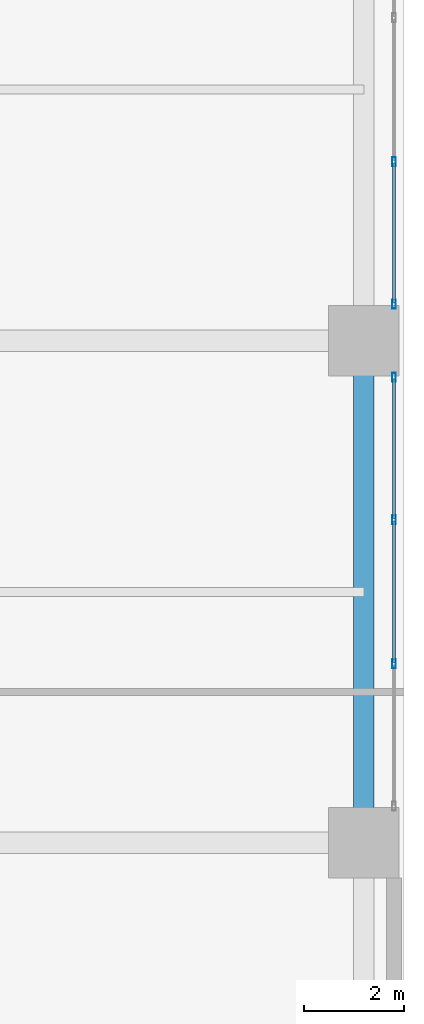
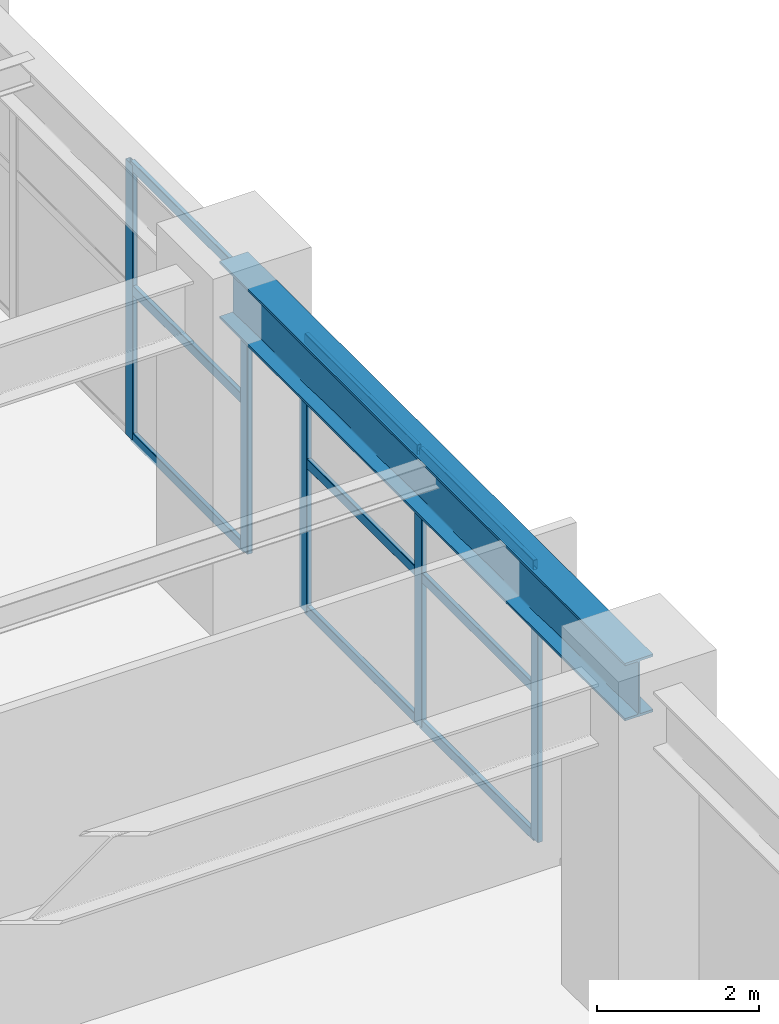
# One storey, part 15 of 28: 14 members, 1 beam, 2 elements without a shape of their own.
"""IFC4 building model written with IfcOpenShell, lengths in metres."""

from ifc_helpers import new_model, si_unit, direction, frame, origin, origin_2d, place, context, subcontext, project, spatial, hollow_rectangle, i_section, extrude, material, layer, layer_set, material_profile, profile_set, type_object, element, aggregate, save


model = new_model("IFC4")

# Units and contexts
model_context = context("Model", 3, precision=1e-05, world=origin(), true_north=direction((0.0, 1.0)))
body_context = subcontext(model_context, "Body", "Model", "MODEL_VIEW")
ifc_project = project(units=[si_unit("LENGTHUNIT", "METRE"), si_unit("AREAUNIT", "SQUARE_METRE"), si_unit("VOLUMEUNIT", "CUBIC_METRE"), si_unit("PLANEANGLEUNIT", "RADIAN"), si_unit("MASSUNIT", "GRAM", prefix="KILO")], contexts=[model_context])

# Site, building, storey
site_placement = place(None, origin())
site = spatial("IfcSite", under=ifc_project, at=site_placement, CompositionType="ELEMENT")
building_placement = place(site_placement, origin())
building = spatial("IfcBuilding", under=site, at=building_placement, Name="Soratama Intermodal Tower", CompositionType="ELEMENT")
storey_placement = place(building_placement, frame((0.0, 0.0, 6.0)))
storey = spatial("IfcBuildingStorey", under=building, at=storey_placement, Name="L01", CompositionType="ELEMENT", Elevation=6.0)

# Beam
ifc_material_1 = material(Name="Structural steel ASTM A992 Grade 50", Category="steel")
ifc_material_profile_1 = material_profile(ifc_material_1, i_section(OverallWidth=0.403076171875, OverallDepth=0.867919921875, WebThickness=0.02099609375, FlangeThickness=0.03564453125, FilletRadius=0.01806640625, at=origin_2d()), Name="W33X241")
ifc_profile_set_1 = profile_set([ifc_material_profile_1], Name="Structural steel ASTM A992 Grade 50")
beam_type = type_object("IfcBeamType", Name="BM-POD-EXT-W33", PredefinedType="BEAM", material=ifc_profile_set_1)
beam_placement = place(storey_placement, frame((83.199951171875, 15.0, 4.64599609375), z_axis=(0.0, 1.0, 0.0), x_axis=(-1.0, 0.0, 0.0)))
element("IfcBeam", 1, at=beam_placement, inside=storey, type_object=beam_type, Name="L01 Station Girder Y4-2", PredefinedType="BEAM", context=body_context, shape_type="SweptSolid", body=[
    extrude(i_section(OverallWidth=0.403076171875, OverallDepth=0.867919921875, WebThickness=0.02099609375, FlangeThickness=0.03564453125, FilletRadius=0.01806640625, at=origin_2d()), origin(), (0.0, 0.0, 1.0), 10.0),
])

# Curtain wall, members
ifc_material_2 = material(Name="Double-glazed aluminium curtain wall", Category="aluminium")
ifc_layer = layer(ifc_material_2, 0.159912109375)
ifc_layer_set = layer_set([ifc_layer], Name="Double-glazed aluminium curtain wall")
curtain_wall_type = type_object("IfcCurtainWallType", Name="CW-SYS-1", PredefinedType="NOTDEFINED", material=ifc_layer_set)
curtain_wall_1_placement = place(storey_placement, origin())
curtain_wall_1 = element("IfcCurtainWall", 2, at=curtain_wall_1_placement, inside=storey, type_object=curtain_wall_type, Name="L01 Station Curtain Wall E1", PredefinedType="NOTDEFINED")
ifc_material_3 = material(Name="Anodised aluminium AA 6063-T6", Category="aluminium")
ifc_material_profile_2 = material_profile(ifc_material_3, hollow_rectangle(XDim=0.074951171875, YDim=0.179931640625, WallThickness=0.006103515625, InnerFilletRadius=0.006103515625, OuterFilletRadius=0.011962890625, at=origin_2d()), Name="CWM180X75X6")
ifc_profile_set_2 = profile_set([ifc_material_profile_2], Name="Anodised aluminium AA 6063-T6")
member_type_1 = type_object("IfcMemberType", Name="MT-CWM-1", PredefinedType="MULLION", material=ifc_profile_set_2)
member_1_placement = place(storey_placement, frame((83.800048828125, 18.566650390625, 0.0), z_axis=(0.0, 0.0, 1.0), x_axis=(-1.0, 0.0, 0.0)))
member_1 = element("IfcMember", 3, at=member_1_placement, type_object=member_type_1, Name="CW-1 mullion 2", PredefinedType="MULLION", context=body_context, shape_type="SweptSolid", body=[
    extrude(hollow_rectangle(XDim=0.074951171875, YDim=0.179931640625, WallThickness=0.006103515625, InnerFilletRadius=0.006103515625, OuterFilletRadius=0.011962890625, at=origin_2d()), origin(), (0.0, 0.0, 1.0), 4.135986328125),
])
member_2_placement = place(storey_placement, frame((83.800048828125, 21.433349609375, 0.0), z_axis=(0.0, 0.0, 1.0), x_axis=(-1.0, 0.0, 0.0)))
member_2 = element("IfcMember", 4, at=member_2_placement, type_object=member_type_1, Name="CW-1 mullion 3", PredefinedType="MULLION", context=body_context, shape_type="SweptSolid", body=[
    extrude(hollow_rectangle(XDim=0.074951171875, YDim=0.179931640625, WallThickness=0.006103515625, InnerFilletRadius=0.006103515625, OuterFilletRadius=0.011962890625, at=origin_2d()), origin(), (0.0, 0.0, 1.0), 4.135986328125),
])
member_3_placement = place(storey_placement, frame((83.800048828125, 24.27001953125, 0.0), z_axis=(0.0, 0.0, 1.0), x_axis=(-1.0, 0.0, 0.0)))
member_3 = element("IfcMember", 5, at=member_3_placement, type_object=member_type_1, Name="CW-1 mullion 4", PredefinedType="MULLION", context=body_context, shape_type="SweptSolid", body=[
    extrude(hollow_rectangle(XDim=0.074951171875, YDim=0.179931640625, WallThickness=0.006103515625, InnerFilletRadius=0.006103515625, OuterFilletRadius=0.011962890625, at=origin_2d()), origin(), (0.0, 0.0, 1.0), 4.135986328125),
])

curtain_wall_2_placement = place(storey_placement, origin())
curtain_wall_2 = element("IfcCurtainWall", 6, at=curtain_wall_2_placement, inside=storey, type_object=curtain_wall_type, Name="L01 Station Curtain Wall E2", PredefinedType="NOTDEFINED")
member_4_placement = place(storey_placement, frame((83.800048828125, 25.72998046875, 0.0), z_axis=(0.0, 0.0, 1.0), x_axis=(-1.0, 0.0, 0.0)))
member_4 = element("IfcMember", 7, at=member_4_placement, type_object=member_type_1, Name="CW-1 mullion 1", PredefinedType="MULLION", context=body_context, shape_type="SweptSolid", body=[
    extrude(hollow_rectangle(XDim=0.074951171875, YDim=0.179931640625, WallThickness=0.006103515625, InnerFilletRadius=0.006103515625, OuterFilletRadius=0.011962890625, at=origin_2d()), origin(), (0.0, 0.0, 1.0), 4.135986328125),
])
member_5_placement = place(storey_placement, frame((83.800048828125, 28.566650390625, 0.0), z_axis=(0.0, 0.0, 1.0), x_axis=(-1.0, 0.0, 0.0)))
member_5 = element("IfcMember", 8, at=member_5_placement, type_object=member_type_1, Name="CW-1 mullion 2", PredefinedType="MULLION", context=body_context, shape_type="SweptSolid", body=[
    extrude(hollow_rectangle(XDim=0.074951171875, YDim=0.179931640625, WallThickness=0.006103515625, InnerFilletRadius=0.006103515625, OuterFilletRadius=0.011962890625, at=origin_2d()), origin(), (0.0, 0.0, 1.0), 4.135986328125),
])

# Member
ifc_material_4 = material(Name="Anodised aluminium AA 6063-T6", Category="aluminium")
ifc_material_profile_3 = material_profile(ifc_material_4, hollow_rectangle(XDim=0.06494140625, YDim=0.14990234375, WallThickness=0.0048828125, InnerFilletRadius=0.0048828125, OuterFilletRadius=0.010009765625, at=origin_2d()), Name="CWT150X65X5")
ifc_profile_set_3 = profile_set([ifc_material_profile_3], Name="Anodised aluminium AA 6063-T6")
member_type_2 = type_object("IfcMemberType", Name="TT-CWT-1", PredefinedType="USERDEFINED", material=ifc_profile_set_3)
member_6_placement = place(storey_placement, frame((83.800048828125, 18.5966796875, 0.030029296875), z_axis=(0.0, 1.0, 0.0), x_axis=(-1.0, 0.0, 0.0)))
member_6 = element("IfcMember", 9, at=member_6_placement, type_object=member_type_2, Name="CW-1 transom 2.1", ObjectType="TRANSOM", PredefinedType="USERDEFINED", context=body_context, shape_type="SweptSolid", body=[
    extrude(hollow_rectangle(XDim=0.06494140625, YDim=0.14990234375, WallThickness=0.0048828125, InnerFilletRadius=0.0048828125, OuterFilletRadius=0.010009765625, at=origin_2d()), origin(), (0.0, 0.0, 1.0), 2.806640625),
])

member_7_placement = place(storey_placement, frame((83.800048828125, 18.5966796875, 2.25), z_axis=(0.0, 1.0, 0.0), x_axis=(-1.0, 0.0, 0.0)))
member_7 = element("IfcMember", 10, at=member_7_placement, type_object=member_type_2, Name="CW-1 transom 2.2", ObjectType="TRANSOM", PredefinedType="USERDEFINED", context=body_context, shape_type="SweptSolid", body=[
    extrude(hollow_rectangle(XDim=0.06494140625, YDim=0.14990234375, WallThickness=0.0048828125, InnerFilletRadius=0.0048828125, OuterFilletRadius=0.010009765625, at=origin_2d()), origin(), (0.0, 0.0, 1.0), 2.806640625),
])

member_8_placement = place(storey_placement, frame((83.800048828125, 18.5966796875, 4.10595703125), z_axis=(0.0, 1.0, 0.0), x_axis=(-1.0, 0.0, 0.0)))
member_8 = element("IfcMember", 11, at=member_8_placement, type_object=member_type_2, Name="CW-1 transom 2.3", ObjectType="TRANSOM", PredefinedType="USERDEFINED", context=body_context, shape_type="SweptSolid", body=[
    extrude(hollow_rectangle(XDim=0.06494140625, YDim=0.14990234375, WallThickness=0.0048828125, InnerFilletRadius=0.0048828125, OuterFilletRadius=0.010009765625, at=origin_2d()), origin(), (0.0, 0.0, 1.0), 2.806640625),
])

member_9_placement = place(storey_placement, frame((83.800048828125, 21.46337890625, 0.030029296875), z_axis=(0.0, 1.0, 0.0), x_axis=(-1.0, 0.0, 0.0)))
member_9 = element("IfcMember", 12, at=member_9_placement, type_object=member_type_2, Name="CW-1 transom 3.1", ObjectType="TRANSOM", PredefinedType="USERDEFINED", context=body_context, shape_type="SweptSolid", body=[
    extrude(hollow_rectangle(XDim=0.06494140625, YDim=0.14990234375, WallThickness=0.0048828125, InnerFilletRadius=0.0048828125, OuterFilletRadius=0.010009765625, at=origin_2d()), origin(), (0.0, 0.0, 1.0), 2.776611328125),
])

member_10_placement = place(storey_placement, frame((83.800048828125, 21.46337890625, 2.25), z_axis=(0.0, 1.0, 0.0), x_axis=(-1.0, 0.0, 0.0)))
member_10 = element("IfcMember", 13, at=member_10_placement, type_object=member_type_2, Name="CW-1 transom 3.2", ObjectType="TRANSOM", PredefinedType="USERDEFINED", context=body_context, shape_type="SweptSolid", body=[
    extrude(hollow_rectangle(XDim=0.06494140625, YDim=0.14990234375, WallThickness=0.0048828125, InnerFilletRadius=0.0048828125, OuterFilletRadius=0.010009765625, at=origin_2d()), origin(), (0.0, 0.0, 1.0), 2.776611328125),
])

member_11_placement = place(storey_placement, frame((83.800048828125, 21.46337890625, 4.10595703125), z_axis=(0.0, 1.0, 0.0), x_axis=(-1.0, 0.0, 0.0)))
member_11 = element("IfcMember", 14, at=member_11_placement, type_object=member_type_2, Name="CW-1 transom 3.3", ObjectType="TRANSOM", PredefinedType="USERDEFINED", context=body_context, shape_type="SweptSolid", body=[
    extrude(hollow_rectangle(XDim=0.06494140625, YDim=0.14990234375, WallThickness=0.0048828125, InnerFilletRadius=0.0048828125, OuterFilletRadius=0.010009765625, at=origin_2d()), origin(), (0.0, 0.0, 1.0), 2.776611328125),
])

aggregate(curtain_wall_1, [member_1, member_2, member_3, member_6, member_7, member_8, member_9, member_10, member_11])

member_12_placement = place(storey_placement, frame((83.800048828125, 25.760009765625, 0.030029296875), z_axis=(0.0, 1.0, 0.0), x_axis=(-1.0, 0.0, 0.0)))
member_12 = element("IfcMember", 15, at=member_12_placement, type_object=member_type_2, Name="CW-1 transom 1.1", ObjectType="TRANSOM", PredefinedType="USERDEFINED", context=body_context, shape_type="SweptSolid", body=[
    extrude(hollow_rectangle(XDim=0.06494140625, YDim=0.14990234375, WallThickness=0.0048828125, InnerFilletRadius=0.0048828125, OuterFilletRadius=0.010009765625, at=origin_2d()), origin(), (0.0, 0.0, 1.0), 2.776611328125),
])

member_13_placement = place(storey_placement, frame((83.800048828125, 25.760009765625, 2.25), z_axis=(0.0, 1.0, 0.0), x_axis=(-1.0, 0.0, 0.0)))
member_13 = element("IfcMember", 16, at=member_13_placement, type_object=member_type_2, Name="CW-1 transom 1.2", ObjectType="TRANSOM", PredefinedType="USERDEFINED", context=body_context, shape_type="SweptSolid", body=[
    extrude(hollow_rectangle(XDim=0.06494140625, YDim=0.14990234375, WallThickness=0.0048828125, InnerFilletRadius=0.0048828125, OuterFilletRadius=0.010009765625, at=origin_2d()), origin(), (0.0, 0.0, 1.0), 2.776611328125),
])

member_14_placement = place(storey_placement, frame((83.800048828125, 25.760009765625, 4.10595703125), z_axis=(0.0, 1.0, 0.0), x_axis=(-1.0, 0.0, 0.0)))
member_14 = element("IfcMember", 17, at=member_14_placement, type_object=member_type_2, Name="CW-1 transom 1.3", ObjectType="TRANSOM", PredefinedType="USERDEFINED", context=body_context, shape_type="SweptSolid", body=[
    extrude(hollow_rectangle(XDim=0.06494140625, YDim=0.14990234375, WallThickness=0.0048828125, InnerFilletRadius=0.0048828125, OuterFilletRadius=0.010009765625, at=origin_2d()), origin(), (0.0, 0.0, 1.0), 2.776611328125),
])

aggregate(curtain_wall_2, [member_4, member_5, member_12, member_13, member_14])

save(model, "model.ifc")
